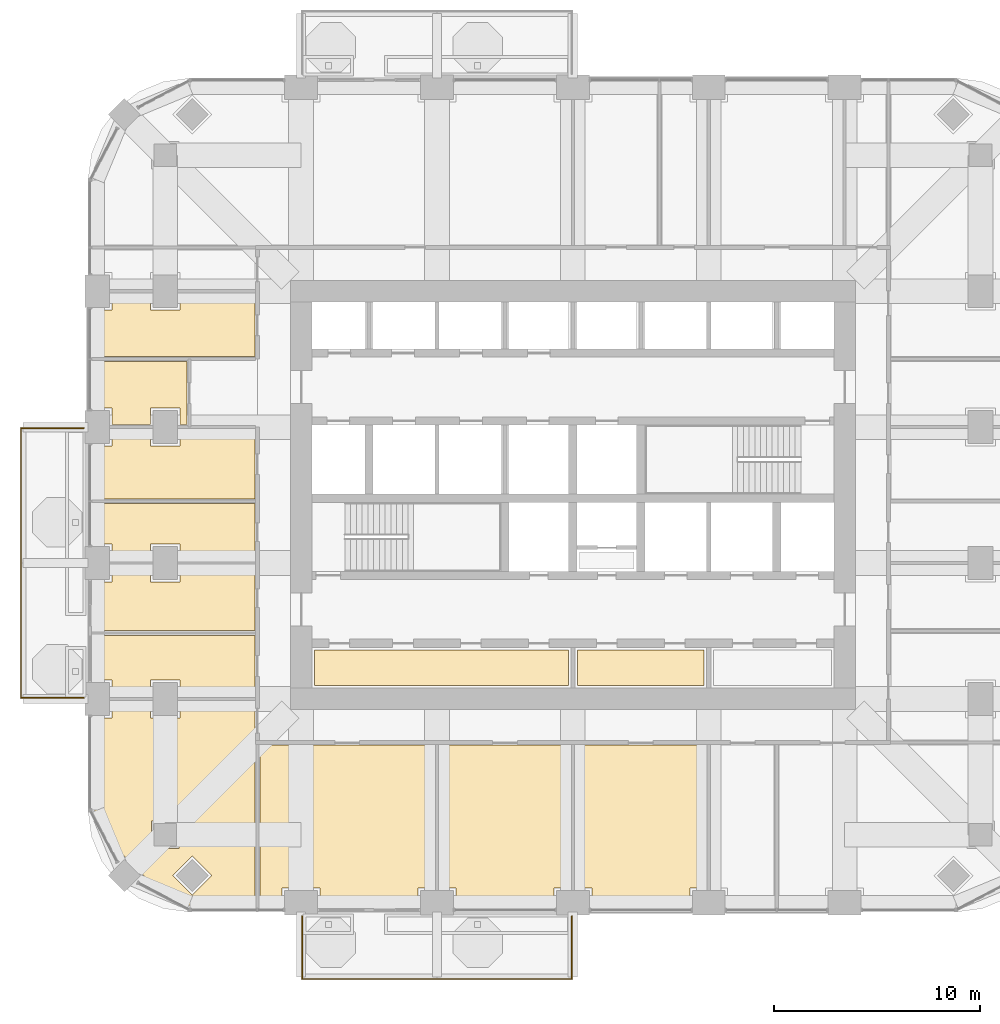
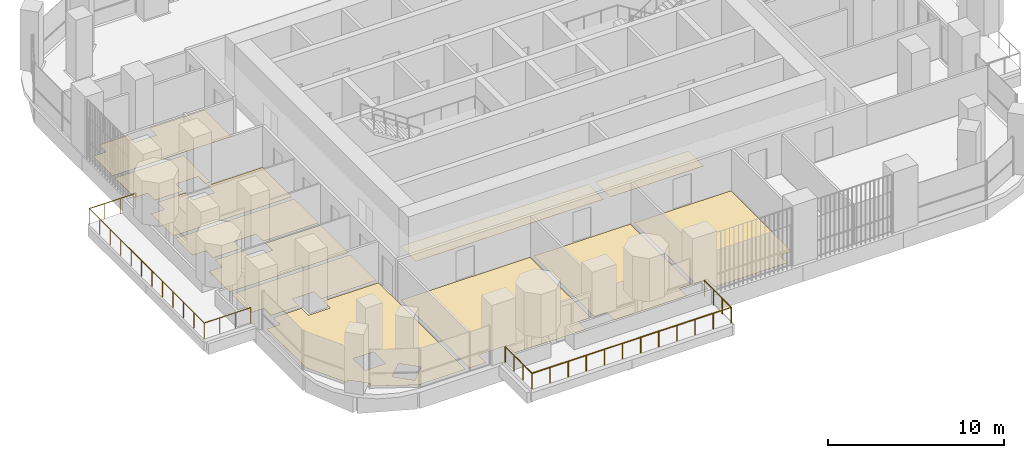
# One storey, part 16 of 20: 12 coverings, 2 railings.
"""IFC4 building model written with IfcOpenShell, lengths in metres."""

from ifc_helpers import new_model, si_unit, direction, frame, origin, place, context, subcontext, project, spatial, polyline, outline, extrude, material, layer, layer_set, type_object, element, save


model = new_model("IFC4")

# Units and contexts
model_context = context("Model", 3, precision=1e-05, world=origin(), true_north=direction((0.0, 1.0)))
body_context = subcontext(model_context, "Body", "Model", "MODEL_VIEW")
ifc_project = project(units=[si_unit("LENGTHUNIT", "METRE"), si_unit("AREAUNIT", "SQUARE_METRE"), si_unit("VOLUMEUNIT", "CUBIC_METRE"), si_unit("PLANEANGLEUNIT", "RADIAN"), si_unit("MASSUNIT", "GRAM", prefix="KILO")], contexts=[model_context])

# Site, building, storey
site_placement = place(None, origin())
site = spatial("IfcSite", under=ifc_project, at=site_placement, CompositionType="ELEMENT")
building_placement = place(site_placement, origin())
building = spatial("IfcBuilding", under=site, at=building_placement, Name="Cobogo Forest Laboratory Tower", CompositionType="ELEMENT")
storey_placement = place(building_placement, frame((0.0, 0.0, 185.10009765625)))
storey = spatial("IfcBuildingStorey", under=building, at=storey_placement, Name="L42", CompositionType="ELEMENT", Elevation=185.10009765625)

# Railings
ifc_material_1 = material(Name="Laminated glass balustrade", Category="glass")
railing_type = type_object("IfcRailingType", Name="BG1 glass balustrade 1100", PredefinedType="GUARDRAIL", material=ifc_material_1)
railing_1_placement = place(storey_placement, frame((13.25, 2.64990234375, 0.0)))
element("IfcRailing", 1, at=railing_1_placement, inside=storey, type_object=railing_type, Name="Balcony balustrade BAL-S1 L42", PredefinedType="GUARDRAIL", context=body_context, shape_type="SweptSolid", body=[
    extrude(outline(polyline([(0.022216796875, 0.00927734375), (0.00927734375, 0.022216796875), (-0.00927734375, 0.022216796875), (-0.022216796875, 0.00927734375), (-0.022216796875, -0.00927734375), (-0.00927734375, -0.022216796875), (0.00927734375, -0.022216796875), (0.022216796875, -0.00927734375), (0.022216796875, 0.00927734375)])), frame((0.0, 0.0, 1.077880859375), z_axis=(0.0, -1.0, 0.0), x_axis=(1.0, 0.0, 0.0)), (0.0, 0.0, 1.0), 3.0498046875),
    extrude(outline(polyline([(0.022216796875, 0.00927734375), (0.00927734375, 0.022216796875), (-0.00927734375, 0.022216796875), (-0.022216796875, 0.00927734375), (-0.022216796875, -0.00927734375), (-0.00927734375, -0.022216796875), (0.00927734375, -0.022216796875), (0.022216796875, -0.00927734375), (0.022216796875, 0.00927734375)])), frame((0.0, -3.0498046875, 1.077880859375), z_axis=(1.0, 0.0, 0.0), x_axis=(0.0, 1.0, 0.0)), (0.0, 0.0, 1.0), 13.10009765625),
    extrude(outline(polyline([(0.022216796875, 0.00927734375), (0.00927734375, 0.022216796875), (-0.00927734375, 0.022216796875), (-0.022216796875, 0.00927734375), (-0.022216796875, -0.00927734375), (-0.00927734375, -0.022216796875), (0.00927734375, -0.022216796875), (0.022216796875, -0.00927734375), (0.022216796875, 0.00927734375)])), frame((13.10009765625, -3.0498046875, 1.077880859375), z_axis=(0.0, 1.0, 0.0), x_axis=(-1.0, 0.0, 0.0)), (0.0, 0.0, 1.0), 3.0498046875),
    extrude(outline(polyline([(0.019287109375, 0.008056640625), (0.008056640625, 0.019287109375), (-0.008056640625, 0.019287109375), (-0.019287109375, 0.008056640625), (-0.019287109375, -0.008056640625), (-0.008056640625, -0.019287109375), (0.008056640625, -0.019287109375), (0.019287109375, -0.008056640625), (0.019287109375, 0.008056640625)])), origin(), (0.0, 0.0, 1.0), 1.077880859375),
    extrude(outline(polyline([(0.019287109375, 0.008056640625), (0.008056640625, 0.019287109375), (-0.008056640625, 0.019287109375), (-0.019287109375, 0.008056640625), (-0.019287109375, -0.008056640625), (-0.008056640625, -0.019287109375), (0.008056640625, -0.019287109375), (0.019287109375, -0.008056640625), (0.019287109375, 0.008056640625)])), frame((0.0, -1.0166015625, 0.0)), (0.0, 0.0, 1.0), 1.077880859375),
    extrude(outline(polyline([(0.019287109375, 0.008056640625), (0.008056640625, 0.019287109375), (-0.008056640625, 0.019287109375), (-0.019287109375, 0.008056640625), (-0.019287109375, -0.008056640625), (-0.008056640625, -0.019287109375), (0.008056640625, -0.019287109375), (0.019287109375, -0.008056640625), (0.019287109375, 0.008056640625)])), frame((0.0, -2.033203125, 0.0)), (0.0, 0.0, 1.0), 1.077880859375),
    extrude(outline(polyline([(0.019287109375, 0.008056640625), (0.008056640625, 0.019287109375), (-0.008056640625, 0.019287109375), (-0.019287109375, 0.008056640625), (-0.019287109375, -0.008056640625), (-0.008056640625, -0.019287109375), (0.008056640625, -0.019287109375), (0.019287109375, -0.008056640625), (0.019287109375, 0.008056640625)])), frame((0.0, -3.0498046875, 0.0)), (0.0, 0.0, 1.0), 1.077880859375),
    extrude(outline(polyline([(0.019287109375, 0.008056640625), (0.008056640625, 0.019287109375), (-0.008056640625, 0.019287109375), (-0.019287109375, 0.008056640625), (-0.019287109375, -0.008056640625), (-0.008056640625, -0.019287109375), (0.008056640625, -0.019287109375), (0.019287109375, -0.008056640625), (0.019287109375, 0.008056640625)])), frame((1.19091796875, -3.0498046875, 0.0)), (0.0, 0.0, 1.0), 1.077880859375),
    extrude(outline(polyline([(0.019287109375, 0.008056640625), (0.008056640625, 0.019287109375), (-0.008056640625, 0.019287109375), (-0.019287109375, 0.008056640625), (-0.019287109375, -0.008056640625), (-0.008056640625, -0.019287109375), (0.008056640625, -0.019287109375), (0.019287109375, -0.008056640625), (0.019287109375, 0.008056640625)])), frame((2.3818359375, -3.0498046875, 0.0)), (0.0, 0.0, 1.0), 1.077880859375),
    extrude(outline(polyline([(0.019287109375, 0.008056640625), (0.008056640625, 0.019287109375), (-0.008056640625, 0.019287109375), (-0.019287109375, 0.008056640625), (-0.019287109375, -0.008056640625), (-0.008056640625, -0.019287109375), (0.008056640625, -0.019287109375), (0.019287109375, -0.008056640625), (0.019287109375, 0.008056640625)])), frame((3.57275390625, -3.0498046875, 0.0)), (0.0, 0.0, 1.0), 1.077880859375),
    extrude(outline(polyline([(0.019287109375, 0.008056640625), (0.008056640625, 0.019287109375), (-0.008056640625, 0.019287109375), (-0.019287109375, 0.008056640625), (-0.019287109375, -0.008056640625), (-0.008056640625, -0.019287109375), (0.008056640625, -0.019287109375), (0.019287109375, -0.008056640625), (0.019287109375, 0.008056640625)])), frame((4.763671875, -3.0498046875, 0.0)), (0.0, 0.0, 1.0), 1.077880859375),
    extrude(outline(polyline([(0.019287109375, 0.008056640625), (0.008056640625, 0.019287109375), (-0.008056640625, 0.019287109375), (-0.019287109375, 0.008056640625), (-0.019287109375, -0.008056640625), (-0.008056640625, -0.019287109375), (0.008056640625, -0.019287109375), (0.019287109375, -0.008056640625), (0.019287109375, 0.008056640625)])), frame((5.95458984375, -3.0498046875, 0.0)), (0.0, 0.0, 1.0), 1.077880859375),
    extrude(outline(polyline([(0.019287109375, 0.008056640625), (0.008056640625, 0.019287109375), (-0.008056640625, 0.019287109375), (-0.019287109375, 0.008056640625), (-0.019287109375, -0.008056640625), (-0.008056640625, -0.019287109375), (0.008056640625, -0.019287109375), (0.019287109375, -0.008056640625), (0.019287109375, 0.008056640625)])), frame((7.1455078125, -3.0498046875, 0.0)), (0.0, 0.0, 1.0), 1.077880859375),
    extrude(outline(polyline([(0.019287109375, 0.008056640625), (0.008056640625, 0.019287109375), (-0.008056640625, 0.019287109375), (-0.019287109375, 0.008056640625), (-0.019287109375, -0.008056640625), (-0.008056640625, -0.019287109375), (0.008056640625, -0.019287109375), (0.019287109375, -0.008056640625), (0.019287109375, 0.008056640625)])), frame((8.33642578125, -3.0498046875, 0.0)), (0.0, 0.0, 1.0), 1.077880859375),
    extrude(outline(polyline([(0.019287109375, 0.008056640625), (0.008056640625, 0.019287109375), (-0.008056640625, 0.019287109375), (-0.019287109375, 0.008056640625), (-0.019287109375, -0.008056640625), (-0.008056640625, -0.019287109375), (0.008056640625, -0.019287109375), (0.019287109375, -0.008056640625), (0.019287109375, 0.008056640625)])), frame((9.52734375, -3.0498046875, 0.0)), (0.0, 0.0, 1.0), 1.077880859375),
    extrude(outline(polyline([(0.019287109375, 0.008056640625), (0.008056640625, 0.019287109375), (-0.008056640625, 0.019287109375), (-0.019287109375, 0.008056640625), (-0.019287109375, -0.008056640625), (-0.008056640625, -0.019287109375), (0.008056640625, -0.019287109375), (0.019287109375, -0.008056640625), (0.019287109375, 0.008056640625)])), frame((10.71826171875, -3.0498046875, 0.0)), (0.0, 0.0, 1.0), 1.077880859375),
    extrude(outline(polyline([(0.019287109375, 0.008056640625), (0.008056640625, 0.019287109375), (-0.008056640625, 0.019287109375), (-0.019287109375, 0.008056640625), (-0.019287109375, -0.008056640625), (-0.008056640625, -0.019287109375), (0.008056640625, -0.019287109375), (0.019287109375, -0.008056640625), (0.019287109375, 0.008056640625)])), frame((11.9091796875, -3.0498046875, 0.0)), (0.0, 0.0, 1.0), 1.077880859375),
    extrude(outline(polyline([(0.019287109375, 0.008056640625), (0.008056640625, 0.019287109375), (-0.008056640625, 0.019287109375), (-0.019287109375, 0.008056640625), (-0.019287109375, -0.008056640625), (-0.008056640625, -0.019287109375), (0.008056640625, -0.019287109375), (0.019287109375, -0.008056640625), (0.019287109375, 0.008056640625)])), frame((13.10009765625, -3.0498046875, 0.0)), (0.0, 0.0, 1.0), 1.077880859375),
    extrude(outline(polyline([(0.019287109375, 0.008056640625), (0.008056640625, 0.019287109375), (-0.008056640625, 0.019287109375), (-0.019287109375, 0.008056640625), (-0.019287109375, -0.008056640625), (-0.008056640625, -0.019287109375), (0.008056640625, -0.019287109375), (0.019287109375, -0.008056640625), (0.019287109375, 0.008056640625)])), frame((13.10009765625, -2.033203125, 0.0)), (0.0, 0.0, 1.0), 1.077880859375),
    extrude(outline(polyline([(0.019287109375, 0.008056640625), (0.008056640625, 0.019287109375), (-0.008056640625, 0.019287109375), (-0.019287109375, 0.008056640625), (-0.019287109375, -0.008056640625), (-0.008056640625, -0.019287109375), (0.008056640625, -0.019287109375), (0.019287109375, -0.008056640625), (0.019287109375, 0.008056640625)])), frame((13.10009765625, -1.0166015625, 0.0)), (0.0, 0.0, 1.0), 1.077880859375),
    extrude(outline(polyline([(0.019287109375, 0.008056640625), (0.008056640625, 0.019287109375), (-0.008056640625, 0.019287109375), (-0.019287109375, 0.008056640625), (-0.019287109375, -0.008056640625), (-0.008056640625, -0.019287109375), (0.008056640625, -0.019287109375), (0.019287109375, -0.008056640625), (0.019287109375, 0.008056640625)])), frame((13.10009765625, 0.0, 0.0)), (0.0, 0.0, 1.0), 1.077880859375),
])
railing_2_placement = place(storey_placement, frame((2.64990234375, 13.25, 0.0)))
element("IfcRailing", 2, at=railing_2_placement, inside=storey, type_object=railing_type, Name="Balcony balustrade BAL-W1 L42", PredefinedType="GUARDRAIL", context=body_context, shape_type="SweptSolid", body=[
    extrude(outline(polyline([(0.022216796875, 0.00927734375), (0.00927734375, 0.022216796875), (-0.00927734375, 0.022216796875), (-0.022216796875, 0.00927734375), (-0.022216796875, -0.00927734375), (-0.00927734375, -0.022216796875), (0.00927734375, -0.022216796875), (0.022216796875, -0.00927734375), (0.022216796875, 0.00927734375)])), frame((0.0, 0.0, 1.077880859375), z_axis=(-1.0, 0.0, 0.0), x_axis=(0.0, -1.0, 0.0)), (0.0, 0.0, 1.0), 3.0498046875),
    extrude(outline(polyline([(0.022216796875, 0.00927734375), (0.00927734375, 0.022216796875), (-0.00927734375, 0.022216796875), (-0.022216796875, 0.00927734375), (-0.022216796875, -0.00927734375), (-0.00927734375, -0.022216796875), (0.00927734375, -0.022216796875), (0.022216796875, -0.00927734375), (0.022216796875, 0.00927734375)])), frame((-3.0498046875, 0.0, 1.077880859375), z_axis=(0.0, 1.0, 0.0), x_axis=(-1.0, 0.0, 0.0)), (0.0, 0.0, 1.0), 13.10009765625),
    extrude(outline(polyline([(0.022216796875, 0.00927734375), (0.00927734375, 0.022216796875), (-0.00927734375, 0.022216796875), (-0.022216796875, 0.00927734375), (-0.022216796875, -0.00927734375), (-0.00927734375, -0.022216796875), (0.00927734375, -0.022216796875), (0.022216796875, -0.00927734375), (0.022216796875, 0.00927734375)])), frame((-3.0498046875, 13.10009765625, 1.077880859375), z_axis=(1.0, 0.0, 0.0), x_axis=(0.0, 1.0, 0.0)), (0.0, 0.0, 1.0), 3.0498046875),
    extrude(outline(polyline([(0.019287109375, 0.008056640625), (0.008056640625, 0.019287109375), (-0.008056640625, 0.019287109375), (-0.019287109375, 0.008056640625), (-0.019287109375, -0.008056640625), (-0.008056640625, -0.019287109375), (0.008056640625, -0.019287109375), (0.019287109375, -0.008056640625), (0.019287109375, 0.008056640625)])), origin(), (0.0, 0.0, 1.0), 1.077880859375),
    extrude(outline(polyline([(0.019287109375, 0.008056640625), (0.008056640625, 0.019287109375), (-0.008056640625, 0.019287109375), (-0.019287109375, 0.008056640625), (-0.019287109375, -0.008056640625), (-0.008056640625, -0.019287109375), (0.008056640625, -0.019287109375), (0.019287109375, -0.008056640625), (0.019287109375, 0.008056640625)])), frame((-1.0166015625, 0.0, 0.0)), (0.0, 0.0, 1.0), 1.077880859375),
    extrude(outline(polyline([(0.019287109375, 0.008056640625), (0.008056640625, 0.019287109375), (-0.008056640625, 0.019287109375), (-0.019287109375, 0.008056640625), (-0.019287109375, -0.008056640625), (-0.008056640625, -0.019287109375), (0.008056640625, -0.019287109375), (0.019287109375, -0.008056640625), (0.019287109375, 0.008056640625)])), frame((-2.033203125, 0.0, 0.0)), (0.0, 0.0, 1.0), 1.077880859375),
    extrude(outline(polyline([(0.019287109375, 0.008056640625), (0.008056640625, 0.019287109375), (-0.008056640625, 0.019287109375), (-0.019287109375, 0.008056640625), (-0.019287109375, -0.008056640625), (-0.008056640625, -0.019287109375), (0.008056640625, -0.019287109375), (0.019287109375, -0.008056640625), (0.019287109375, 0.008056640625)])), frame((-3.0498046875, 0.0, 0.0)), (0.0, 0.0, 1.0), 1.077880859375),
    extrude(outline(polyline([(0.019287109375, 0.008056640625), (0.008056640625, 0.019287109375), (-0.008056640625, 0.019287109375), (-0.019287109375, 0.008056640625), (-0.019287109375, -0.008056640625), (-0.008056640625, -0.019287109375), (0.008056640625, -0.019287109375), (0.019287109375, -0.008056640625), (0.019287109375, 0.008056640625)])), frame((-3.0498046875, 1.19091796875, 0.0)), (0.0, 0.0, 1.0), 1.077880859375),
    extrude(outline(polyline([(0.019287109375, 0.008056640625), (0.008056640625, 0.019287109375), (-0.008056640625, 0.019287109375), (-0.019287109375, 0.008056640625), (-0.019287109375, -0.008056640625), (-0.008056640625, -0.019287109375), (0.008056640625, -0.019287109375), (0.019287109375, -0.008056640625), (0.019287109375, 0.008056640625)])), frame((-3.0498046875, 2.3818359375, 0.0)), (0.0, 0.0, 1.0), 1.077880859375),
    extrude(outline(polyline([(0.019287109375, 0.008056640625), (0.008056640625, 0.019287109375), (-0.008056640625, 0.019287109375), (-0.019287109375, 0.008056640625), (-0.019287109375, -0.008056640625), (-0.008056640625, -0.019287109375), (0.008056640625, -0.019287109375), (0.019287109375, -0.008056640625), (0.019287109375, 0.008056640625)])), frame((-3.0498046875, 3.57275390625, 0.0)), (0.0, 0.0, 1.0), 1.077880859375),
    extrude(outline(polyline([(0.019287109375, 0.008056640625), (0.008056640625, 0.019287109375), (-0.008056640625, 0.019287109375), (-0.019287109375, 0.008056640625), (-0.019287109375, -0.008056640625), (-0.008056640625, -0.019287109375), (0.008056640625, -0.019287109375), (0.019287109375, -0.008056640625), (0.019287109375, 0.008056640625)])), frame((-3.0498046875, 4.763671875, 0.0)), (0.0, 0.0, 1.0), 1.077880859375),
    extrude(outline(polyline([(0.019287109375, 0.008056640625), (0.008056640625, 0.019287109375), (-0.008056640625, 0.019287109375), (-0.019287109375, 0.008056640625), (-0.019287109375, -0.008056640625), (-0.008056640625, -0.019287109375), (0.008056640625, -0.019287109375), (0.019287109375, -0.008056640625), (0.019287109375, 0.008056640625)])), frame((-3.0498046875, 5.95458984375, 0.0)), (0.0, 0.0, 1.0), 1.077880859375),
    extrude(outline(polyline([(0.019287109375, 0.008056640625), (0.008056640625, 0.019287109375), (-0.008056640625, 0.019287109375), (-0.019287109375, 0.008056640625), (-0.019287109375, -0.008056640625), (-0.008056640625, -0.019287109375), (0.008056640625, -0.019287109375), (0.019287109375, -0.008056640625), (0.019287109375, 0.008056640625)])), frame((-3.0498046875, 7.1455078125, 0.0)), (0.0, 0.0, 1.0), 1.077880859375),
    extrude(outline(polyline([(0.019287109375, 0.008056640625), (0.008056640625, 0.019287109375), (-0.008056640625, 0.019287109375), (-0.019287109375, 0.008056640625), (-0.019287109375, -0.008056640625), (-0.008056640625, -0.019287109375), (0.008056640625, -0.019287109375), (0.019287109375, -0.008056640625), (0.019287109375, 0.008056640625)])), frame((-3.0498046875, 8.33642578125, 0.0)), (0.0, 0.0, 1.0), 1.077880859375),
    extrude(outline(polyline([(0.019287109375, 0.008056640625), (0.008056640625, 0.019287109375), (-0.008056640625, 0.019287109375), (-0.019287109375, 0.008056640625), (-0.019287109375, -0.008056640625), (-0.008056640625, -0.019287109375), (0.008056640625, -0.019287109375), (0.019287109375, -0.008056640625), (0.019287109375, 0.008056640625)])), frame((-3.0498046875, 9.52734375, 0.0)), (0.0, 0.0, 1.0), 1.077880859375),
    extrude(outline(polyline([(0.019287109375, 0.008056640625), (0.008056640625, 0.019287109375), (-0.008056640625, 0.019287109375), (-0.019287109375, 0.008056640625), (-0.019287109375, -0.008056640625), (-0.008056640625, -0.019287109375), (0.008056640625, -0.019287109375), (0.019287109375, -0.008056640625), (0.019287109375, 0.008056640625)])), frame((-3.0498046875, 10.71826171875, 0.0)), (0.0, 0.0, 1.0), 1.077880859375),
    extrude(outline(polyline([(0.019287109375, 0.008056640625), (0.008056640625, 0.019287109375), (-0.008056640625, 0.019287109375), (-0.019287109375, 0.008056640625), (-0.019287109375, -0.008056640625), (-0.008056640625, -0.019287109375), (0.008056640625, -0.019287109375), (0.019287109375, -0.008056640625), (0.019287109375, 0.008056640625)])), frame((-3.0498046875, 11.9091796875, 0.0)), (0.0, 0.0, 1.0), 1.077880859375),
    extrude(outline(polyline([(0.019287109375, 0.008056640625), (0.008056640625, 0.019287109375), (-0.008056640625, 0.019287109375), (-0.019287109375, 0.008056640625), (-0.019287109375, -0.008056640625), (-0.008056640625, -0.019287109375), (0.008056640625, -0.019287109375), (0.019287109375, -0.008056640625), (0.019287109375, 0.008056640625)])), frame((-3.0498046875, 13.10009765625, 0.0)), (0.0, 0.0, 1.0), 1.077880859375),
    extrude(outline(polyline([(0.019287109375, 0.008056640625), (0.008056640625, 0.019287109375), (-0.008056640625, 0.019287109375), (-0.019287109375, 0.008056640625), (-0.019287109375, -0.008056640625), (-0.008056640625, -0.019287109375), (0.008056640625, -0.019287109375), (0.019287109375, -0.008056640625), (0.019287109375, 0.008056640625)])), frame((-2.033203125, 13.10009765625, 0.0)), (0.0, 0.0, 1.0), 1.077880859375),
    extrude(outline(polyline([(0.019287109375, 0.008056640625), (0.008056640625, 0.019287109375), (-0.008056640625, 0.019287109375), (-0.019287109375, 0.008056640625), (-0.019287109375, -0.008056640625), (-0.008056640625, -0.019287109375), (0.008056640625, -0.019287109375), (0.019287109375, -0.008056640625), (0.019287109375, 0.008056640625)])), frame((-1.0166015625, 13.10009765625, 0.0)), (0.0, 0.0, 1.0), 1.077880859375),
    extrude(outline(polyline([(0.019287109375, 0.008056640625), (0.008056640625, 0.019287109375), (-0.008056640625, 0.019287109375), (-0.019287109375, 0.008056640625), (-0.019287109375, -0.008056640625), (-0.008056640625, -0.019287109375), (0.008056640625, -0.019287109375), (0.019287109375, -0.008056640625), (0.019287109375, 0.008056640625)])), frame((0.0, 13.10009765625, 0.0)), (0.0, 0.0, 1.0), 1.077880859375),
])

# Coverings
ifc_material_2 = material(Name="Carpet tile on raised access floor", Category="flooring")
ifc_layer_1 = layer(ifc_material_2, 0.008056640625)
ifc_layer_set_1 = layer_set([ifc_layer_1], Name="CT1 carpet tile floor 8")
covering_type_1 = type_object("IfcCoveringType", Name="CT1 carpet tile floor 8", PredefinedType="FLOORING", material=ifc_layer_set_1)
covering_1_placement = place(storey_placement, origin())
element("IfcCovering", 3, at=covering_1_placement, inside=storey, type_object=covering_type_1, Name="Carpet floor L42-22", PredefinedType="FLOORING", context=body_context, shape_type="SweptSolid", body=[
    extrude(outline(polyline([(7.655029296875, 26.52001953125), (7.320068359375, 26.52001953125), (7.320068359375, 27.320068359375), (5.8798828125, 27.320068359375), (5.8798828125, 26.52001953125), (4.02001953125, 26.52001953125), (4.02001953125, 27.320068359375), (3.14990234375, 27.320068359375), (3.14990234375, 29.580078125), (7.655029296875, 29.580078125), (7.655029296875, 26.52001953125)])), origin(), (0.0, 0.0, 1.0), 0.0078125),
])
covering_2_placement = place(storey_placement, origin())
element("IfcCovering", 4, at=covering_2_placement, inside=storey, type_object=covering_type_1, Name="Carpet floor L42-23", PredefinedType="FLOORING", context=body_context, shape_type="SweptSolid", body=[
    extrude(outline(polyline([(10.955078125, 29.820068359375), (3.14990234375, 29.820068359375), (3.14990234375, 32.080078125), (4.02001953125, 32.080078125), (4.02001953125, 32.8798828125), (5.8798828125, 32.8798828125), (5.8798828125, 32.080078125), (7.320068359375, 32.080078125), (7.320068359375, 32.8798828125), (10.955078125, 32.8798828125), (10.955078125, 29.820068359375)])), origin(), (0.0, 0.0, 1.0), 0.0078125),
])
covering_3_placement = place(storey_placement, origin())
element("IfcCovering", 5, at=covering_3_placement, inside=storey, type_object=covering_type_1, Name="Carpet floor L42-33", PredefinedType="FLOORING", context=body_context, shape_type="SweptSolid", body=[
    extrude(outline(polyline([(26.179931640625, 13.844970703125), (13.844970703125, 13.844970703125), (13.844970703125, 15.580078125), (26.179931640625, 15.580078125), (26.179931640625, 13.844970703125)])), origin(), (0.0, 0.0, 1.0), 0.0078125),
])
covering_4_placement = place(storey_placement, origin())
element("IfcCovering", 6, at=covering_4_placement, inside=storey, type_object=covering_type_1, Name="Carpet floor L42-34", PredefinedType="FLOORING", context=body_context, shape_type="SweptSolid", body=[
    extrude(outline(polyline([(32.780029296875, 13.844970703125), (26.6201171875, 13.844970703125), (26.6201171875, 15.580078125), (32.780029296875, 15.580078125), (32.780029296875, 13.844970703125)])), origin(), (0.0, 0.0, 1.0), 0.0078125),
])
ifc_material_3 = material(Name="Static-dissipative vinyl flooring", Category="flooring")
ifc_layer_2 = layer(ifc_material_3, 0.0029296875)
ifc_layer_set_2 = layer_set([ifc_layer_2], Name="SD1 static-dissipative vinyl floor 3")
covering_type_2 = type_object("IfcCoveringType", Name="SD1 static-dissipative vinyl floor 3", PredefinedType="FLOORING", material=ifc_layer_set_2)
covering_5_placement = place(storey_placement, origin())
element("IfcCovering", 7, at=covering_5_placement, inside=storey, type_object=covering_type_2, Name="Static-dissipative floor L42-01", PredefinedType="FLOORING", context=body_context, shape_type="SweptSolid", body=[
    extrude(outline(polyline([(19.679931640625, 10.955078125), (19.679931640625, 4.02001953125), (18.8798828125, 4.02001953125), (18.8798828125, 3.14990234375), (14.1201171875, 3.14990234375), (14.1201171875, 4.02001953125), (12.280029296875, 4.02001953125), (12.280029296875, 3.14990234375), (11.195068359375, 3.14990234375), (11.195068359375, 10.955078125), (19.679931640625, 10.955078125)])), origin(), (0.0, 0.0, 1.0), 0.0029296875),
])
covering_6_placement = place(storey_placement, origin())
element("IfcCovering", 8, at=covering_6_placement, inside=storey, type_object=covering_type_2, Name="Static-dissipative floor L42-02", PredefinedType="FLOORING", context=body_context, shape_type="SweptSolid", body=[
    extrude(outline(polyline([(26.280029296875, 10.955078125), (26.280029296875, 4.02001953125), (25.47998046875, 4.02001953125), (25.47998046875, 3.14990234375), (20.719970703125, 3.14990234375), (20.719970703125, 4.02001953125), (19.919921875, 4.02001953125), (19.919921875, 10.955078125), (26.280029296875, 10.955078125)])), origin(), (0.0, 0.0, 1.0), 0.0029296875),
])
covering_7_placement = place(storey_placement, origin())
element("IfcCovering", 9, at=covering_7_placement, inside=storey, type_object=covering_type_2, Name="Static-dissipative floor L42-03", PredefinedType="FLOORING", context=body_context, shape_type="SweptSolid", body=[
    extrude(outline(polyline([(32.8798828125, 10.955078125), (32.8798828125, 4.02001953125), (32.080078125, 4.02001953125), (32.080078125, 3.14990234375), (27.320068359375, 3.14990234375), (27.320068359375, 4.02001953125), (26.52001953125, 4.02001953125), (26.52001953125, 10.955078125), (32.8798828125, 10.955078125)])), origin(), (0.0, 0.0, 1.0), 0.0029296875),
])
covering_8_placement = place(storey_placement, origin())
element("IfcCovering", 10, at=covering_8_placement, inside=storey, type_object=covering_type_2, Name="Static-dissipative floor L42-17", PredefinedType="FLOORING", context=body_context, shape_type="SweptSolid", body=[
    extrude(outline(polyline([(10.955078125, 3.14990234375), (7.84912109375, 3.14990234375), (5.387939453125, 4.440185546875), (5.5654296875, 4.617919921875), (4.617919921875, 5.5654296875), (4.440185546875, 5.387939453125), (3.14990234375, 7.84912109375), (3.14990234375, 12.280029296875), (4.02001953125, 12.280029296875), (4.02001953125, 13.080078125), (5.8798828125, 13.080078125), (5.8798828125, 12.280029296875), (7.320068359375, 12.280029296875), (7.320068359375, 13.080078125), (10.955078125, 13.080078125), (10.955078125, 3.14990234375)]), holes=[polyline([(7.91796875, 3.67041015625), (8.865478515625, 4.617919921875), (7.91796875, 5.5654296875), (6.970458984375, 4.617919921875), (7.91796875, 3.67041015625)]), polyline([(5.929931640625, 5.929931640625), (7.27001953125, 5.929931640625), (7.27001953125, 7.27001953125), (5.929931640625, 7.27001953125), (5.929931640625, 5.929931640625)])]), origin(), (0.0, 0.0, 1.0), 0.0029296875),
])
ifc_material_4 = material(Name="Ceramic floor tile", Category="flooring")
ifc_layer_3 = layer(ifc_material_4, 0.010009765625)
ifc_layer_set_3 = layer_set([ifc_layer_3], Name="TF1 ceramic tile floor 10")
covering_type_3 = type_object("IfcCoveringType", Name="TF1 ceramic tile floor 10", PredefinedType="FLOORING", material=ifc_layer_set_3)
covering_9_placement = place(storey_placement, origin())
element("IfcCovering", 11, at=covering_9_placement, inside=storey, type_object=covering_type_3, Name="Tile floor L42-18", PredefinedType="FLOORING", context=body_context, shape_type="SweptSolid", body=[
    extrude(outline(polyline([(10.955078125, 13.320068359375), (7.320068359375, 13.320068359375), (7.320068359375, 14.1201171875), (5.8798828125, 14.1201171875), (5.8798828125, 13.320068359375), (4.02001953125, 13.320068359375), (4.02001953125, 14.1201171875), (3.14990234375, 14.1201171875), (3.14990234375, 16.280029296875), (10.955078125, 16.280029296875), (10.955078125, 13.320068359375)])), origin(), (0.0, 0.0, 1.0), 0.010009765625),
])
covering_10_placement = place(storey_placement, origin())
element("IfcCovering", 12, at=covering_10_placement, inside=storey, type_object=covering_type_3, Name="Tile floor L42-19", PredefinedType="FLOORING", context=body_context, shape_type="SweptSolid", body=[
    extrude(outline(polyline([(10.955078125, 16.52001953125), (3.14990234375, 16.52001953125), (3.14990234375, 18.8798828125), (4.02001953125, 18.8798828125), (4.02001953125, 19.679931640625), (5.8798828125, 19.679931640625), (5.8798828125, 18.8798828125), (7.320068359375, 18.8798828125), (7.320068359375, 19.679931640625), (10.955078125, 19.679931640625), (10.955078125, 16.52001953125)])), origin(), (0.0, 0.0, 1.0), 0.010009765625),
])
covering_11_placement = place(storey_placement, origin())
element("IfcCovering", 13, at=covering_11_placement, inside=storey, type_object=covering_type_3, Name="Tile floor L42-20", PredefinedType="FLOORING", context=body_context, shape_type="SweptSolid", body=[
    extrude(outline(polyline([(10.955078125, 19.919921875), (7.320068359375, 19.919921875), (7.320068359375, 20.719970703125), (5.8798828125, 20.719970703125), (5.8798828125, 19.919921875), (4.02001953125, 19.919921875), (4.02001953125, 20.719970703125), (3.14990234375, 20.719970703125), (3.14990234375, 22.679931640625), (10.955078125, 22.679931640625), (10.955078125, 19.919921875)])), origin(), (0.0, 0.0, 1.0), 0.010009765625),
])
covering_12_placement = place(storey_placement, origin())
element("IfcCovering", 14, at=covering_12_placement, inside=storey, type_object=covering_type_3, Name="Tile floor L42-21", PredefinedType="FLOORING", context=body_context, shape_type="SweptSolid", body=[
    extrude(outline(polyline([(10.955078125, 22.919921875), (3.14990234375, 22.919921875), (3.14990234375, 25.47998046875), (4.02001953125, 25.47998046875), (4.02001953125, 26.280029296875), (5.8798828125, 26.280029296875), (5.8798828125, 25.47998046875), (7.320068359375, 25.47998046875), (7.320068359375, 26.280029296875), (10.955078125, 26.280029296875), (10.955078125, 22.919921875)])), origin(), (0.0, 0.0, 1.0), 0.010009765625),
])

save(model, "model.ifc")
